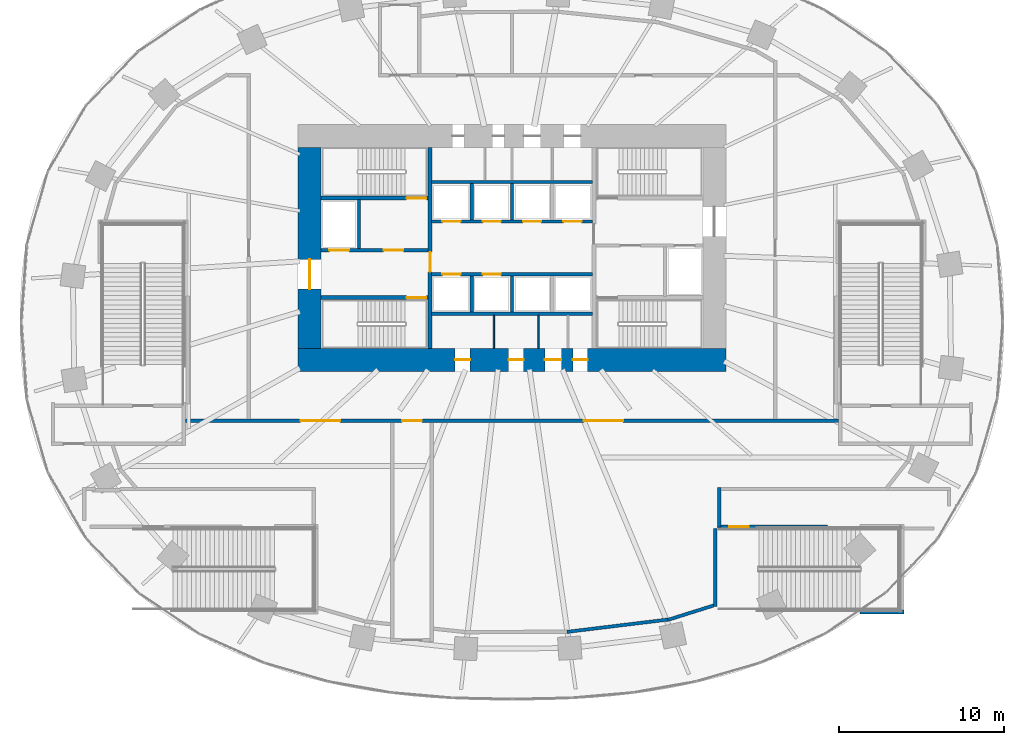
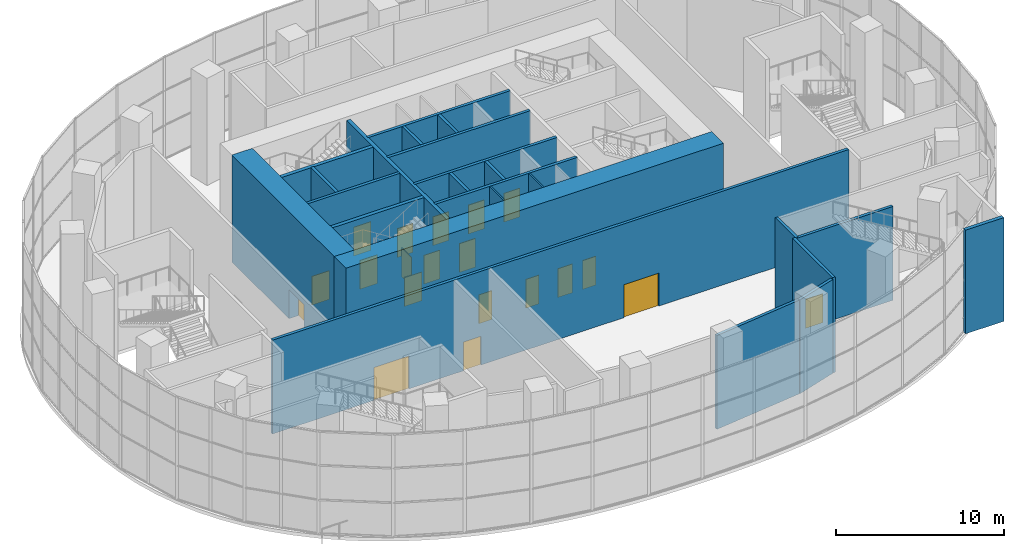
# One storey, part 14 of 22: 24 walls, 20 doors, 20 openings.
"""IFC4 building model written with IfcOpenShell, lengths in metres."""

from ifc_helpers import new_model, si_unit, direction, frame, frame_2d, origin, place, context, subcontext, project, spatial, rectangle, extrude, material, layer, layer_set, type_object, element, fill, save


model = new_model("IFC4")

# Units and contexts
model_context = context("Model", 3, precision=1e-05, world=origin(), true_north=direction((0.0, 1.0)))
body_context = subcontext(model_context, "Body", "Model", "MODEL_VIEW")
ifc_project = project(units=[si_unit("LENGTHUNIT", "METRE"), si_unit("AREAUNIT", "SQUARE_METRE"), si_unit("VOLUMEUNIT", "CUBIC_METRE"), si_unit("PLANEANGLEUNIT", "RADIAN"), si_unit("MASSUNIT", "GRAM", prefix="KILO")], contexts=[model_context])

# Site, building, storey
site_placement = place(None, origin())
site = spatial("IfcSite", under=ifc_project, at=site_placement, CompositionType="ELEMENT")
building_placement = place(site_placement, origin())
building = spatial("IfcBuilding", under=site, at=building_placement, Name="Rubra Terraces Tower", CompositionType="ELEMENT")
storey_placement = place(building_placement, frame((0.0, 0.0, 7.199951171875)))
storey = spatial("IfcBuildingStorey", under=building, at=storey_placement, Name="L01", CompositionType="ELEMENT", Elevation=7.199951171875)

# Wall, openings, doors
ifc_material_1 = material(Name="Concrete C70", Category="concrete")
ifc_layer_1 = layer(ifc_material_1, 1.39990234375)
ifc_layer_set_1 = layer_set([ifc_layer_1], Name="Concrete C70")
wall_type_1 = type_object("IfcWallType", Name="CORE WALL 1400 C70", PredefinedType="SHEAR", material=ifc_layer_set_1)
wall_1_placement = place(storey_placement, frame((-13.0, -2.300048828125, 0.0), z_axis=(0.0, 0.0, 1.0), x_axis=(1.0, 0.0, 0.0)))
wall_1 = element("IfcWall", 1, at=wall_1_placement, inside=storey, type_object=wall_type_1, Name="CORE WALL S L01", PredefinedType="SHEAR", context=body_context, shape_type="SweptSolid", body=[
    extrude(rectangle(XDim=26.0, YDim=1.39990234375, at=frame_2d((13.0, 0.0))), origin(), (0.0, 0.0, 1.0), 7.800048828125),
])
opening_1_placement = place(wall_1_placement, frame((9.550048828125, 0.0, 0.0)))
opening_1 = element("IfcOpeningElement", 2, at=opening_1_placement, cuts=wall_1, Name="Opening L01.C19", PredefinedType="OPENING", context=body_context, shape_type="SweptSolid", body=[
    extrude(rectangle(XDim=0.89990234375, YDim=2.10009765625, at=frame_2d((0.449951171875, 1.050048828125))), frame((0.0, 0.7099609375, 0.0), z_axis=(0.0, -1.0, 0.0), x_axis=(1.0, 0.0, 0.0)), (0.0, 0.0, 1.0), 1.419921875),
])
opening_2_placement = place(wall_1_placement, frame((12.800048828125, 0.0, 0.0)))
opening_2 = element("IfcOpeningElement", 3, at=opening_2_placement, cuts=wall_1, Name="Opening L01.C20", PredefinedType="OPENING", context=body_context, shape_type="SweptSolid", body=[
    extrude(rectangle(XDim=0.89990234375, YDim=2.10009765625, at=frame_2d((0.449951171875, 1.050048828125))), frame((0.0, 0.7099609375, 0.0), z_axis=(0.0, -1.0, 0.0), x_axis=(1.0, 0.0, 0.0)), (0.0, 0.0, 1.0), 1.419921875),
])
opening_3_placement = place(wall_1_placement, frame((15.0, 0.0, 0.0)))
opening_3 = element("IfcOpeningElement", 4, at=opening_3_placement, cuts=wall_1, Name="Opening L01.C21", PredefinedType="OPENING", context=body_context, shape_type="SweptSolid", body=[
    extrude(rectangle(XDim=1.0, YDim=2.10009765625, at=frame_2d((0.5, 1.050048828125))), frame((0.0, 0.7099609375, 0.0), z_axis=(0.0, -1.0, 0.0), x_axis=(1.0, 0.0, 0.0)), (0.0, 0.0, 1.0), 1.419921875),
])
opening_4_placement = place(wall_1_placement, frame((16.699951171875, 0.0, 0.0)))
opening_4 = element("IfcOpeningElement", 5, at=opening_4_placement, cuts=wall_1, Name="Opening L01.C22", PredefinedType="OPENING", context=body_context, shape_type="SweptSolid", body=[
    extrude(rectangle(XDim=0.89990234375, YDim=2.10009765625, at=frame_2d((0.449951171875, 1.050048828125))), frame((0.0, 0.7099609375, 0.0), z_axis=(0.0, -1.0, 0.0), x_axis=(1.0, 0.0, 0.0)), (0.0, 0.0, 1.0), 1.419921875),
])
ifc_material_2 = material(Name="Painted steel", Category="steel")
door_type_1 = type_object("IfcDoorType", Name="Fire door 1000x2100 single", OperationType="NOTDEFINED", PredefinedType="DOOR", material=ifc_material_2)
door_1_placement = place(opening_3_placement, origin())
door_1 = element("IfcDoor", 6, at=door_1_placement, inside=storey, type_object=door_type_1, Name="Accessible WC door", OperationType="SINGLE_SWING_LEFT", OverallHeight=2.10009765625, OverallWidth=1.0, PredefinedType="DOOR", context=body_context, shape_type="SweptSolid", body=[
    extrude(rectangle(XDim=1.0, YDim=2.10009765625, at=frame_2d((0.5, 1.050048828125))), frame((0.0, 0.02490234375, 0.0), z_axis=(0.0, -1.0, 0.0), x_axis=(1.0, 0.0, 0.0)), (0.0, 0.0, 1.0), 0.050048828125),
])
fill(opening_3, door_1)
door_type_2 = type_object("IfcDoorType", Name="Fire door 900x2100 single", OperationType="NOTDEFINED", PredefinedType="DOOR", material=ifc_material_2)
door_2_placement = place(opening_1_placement, origin())
door_2 = element("IfcDoor", 7, at=door_2_placement, inside=storey, type_object=door_type_2, Name="Ladies WC door", OperationType="SINGLE_SWING_LEFT", OverallHeight=2.10009765625, OverallWidth=0.89990234375, PredefinedType="DOOR", context=body_context, shape_type="SweptSolid", body=[
    extrude(rectangle(XDim=0.89990234375, YDim=2.10009765625, at=frame_2d((0.449951171875, 1.050048828125))), frame((0.0, 0.02490234375, 0.0), z_axis=(0.0, -1.0, 0.0), x_axis=(1.0, 0.0, 0.0)), (0.0, 0.0, 1.0), 0.050048828125),
])
fill(opening_1, door_2)
door_3_placement = place(opening_2_placement, origin())
door_3 = element("IfcDoor", 8, at=door_3_placement, inside=storey, type_object=door_type_2, Name="Gents WC door", OperationType="SINGLE_SWING_RIGHT", OverallHeight=2.10009765625, OverallWidth=0.89990234375, PredefinedType="DOOR", context=body_context, shape_type="SweptSolid", body=[
    extrude(rectangle(XDim=0.89990234375, YDim=2.10009765625, at=frame_2d((0.449951171875, 1.050048828125))), frame((0.0, 0.02490234375, 0.0), z_axis=(0.0, -1.0, 0.0), x_axis=(1.0, 0.0, 0.0)), (0.0, 0.0, 1.0), 0.050048828125),
])
fill(opening_2, door_3)
door_4_placement = place(opening_4_placement, origin())
door_4 = element("IfcDoor", 9, at=door_4_placement, inside=storey, type_object=door_type_2, Name="Cleaner's store door", OperationType="SINGLE_SWING_RIGHT", OverallHeight=2.10009765625, OverallWidth=0.89990234375, PredefinedType="DOOR", context=body_context, shape_type="SweptSolid", body=[
    extrude(rectangle(XDim=0.89990234375, YDim=2.10009765625, at=frame_2d((0.449951171875, 1.050048828125))), frame((0.0, 0.02490234375, 0.0), z_axis=(0.0, -1.0, 0.0), x_axis=(1.0, 0.0, 0.0)), (0.0, 0.0, 1.0), 0.050048828125),
])
fill(opening_4, door_4)

# Wall, opening, door
wall_2_placement = place(storey_placement, frame((-12.300048828125, -1.60009765625, 0.0), z_axis=(0.0, 0.0, 1.0), x_axis=(0.0, 1.0, 0.0)))
wall_2 = element("IfcWall", 10, at=wall_2_placement, inside=storey, type_object=wall_type_1, Name="CORE WALL W L01", PredefinedType="SHEAR", context=body_context, shape_type="SweptSolid", body=[
    extrude(rectangle(XDim=12.2001953125, YDim=1.39990234375, at=frame_2d((6.10009765625, 0.0))), origin(), (0.0, 0.0, 1.0), 7.800048828125),
])
opening_5_placement = place(wall_2_placement, frame((3.60009765625, 0.0, 0.0)))
opening_5 = element("IfcOpeningElement", 11, at=opening_5_placement, cuts=wall_2, Name="Opening L01.C01", PredefinedType="OPENING", context=body_context, shape_type="SweptSolid", body=[
    extrude(rectangle(XDim=1.800048828125, YDim=2.10009765625, at=frame_2d((0.89990234375, 1.050048828125))), frame((0.0, 0.7099609375, 0.0), z_axis=(0.0, -1.0, 0.0), x_axis=(1.0, 0.0, 0.0)), (0.0, 0.0, 1.0), 1.419921875),
])
door_type_3 = type_object("IfcDoorType", Name="Fire door 1800x2100 double", OperationType="NOTDEFINED", PredefinedType="DOOR", material=ifc_material_2)
door_5_placement = place(opening_5_placement, origin())
door_5 = element("IfcDoor", 12, at=door_5_placement, inside=storey, type_object=door_type_3, Name="Core entrance door FF1", OperationType="DOUBLE_DOOR_SINGLE_SWING", OverallHeight=2.10009765625, OverallWidth=1.800048828125, PredefinedType="DOOR", context=body_context, shape_type="SweptSolid", body=[
    extrude(rectangle(XDim=1.800048828125, YDim=2.10009765625, at=frame_2d((0.89990234375, 1.050048828125))), frame((0.0, 0.02490234375, 0.0), z_axis=(0.0, -1.0, 0.0), x_axis=(1.0, 0.0, 0.0)), (0.0, 0.0, 1.0), 0.050048828125),
])
fill(opening_5, door_5)

# Wall, openings, doors
ifc_material_3 = material(Name="Concrete C30", Category="concrete")
ifc_layer_2 = layer(ifc_material_3, 0.199951171875)
ifc_layer_set_2 = layer_set([ifc_layer_2], Name="Concrete C30")
wall_type_2 = type_object("IfcWallType", Name="Core wall 200 concrete", PredefinedType="SOLIDWALL", material=ifc_layer_set_2)
wall_3_placement = place(storey_placement, frame((-11.60009765625, 4.35009765625, 0.0), z_axis=(0.0, 0.0, 1.0), x_axis=(1.0, 0.0, 0.0)))
wall_3 = element("IfcWall", 13, at=wall_3_placement, inside=storey, type_object=wall_type_2, Name="STAIR WALL L01", PredefinedType="SOLIDWALL", context=body_context, shape_type="SweptSolid", body=[
    extrude(rectangle(XDim=6.5, YDim=0.199951171875, at=frame_2d((3.25, 0.0))), origin(), (0.0, 0.0, 1.0), 7.550048828125),
])
opening_6_placement = place(wall_3_placement, frame((3.800048828125, 0.0, 0.0)))
opening_6 = element("IfcOpeningElement", 14, at=opening_6_placement, cuts=wall_3, Name="Opening L01.C05", PredefinedType="OPENING", context=body_context, shape_type="SweptSolid", body=[
    extrude(rectangle(XDim=1.199951171875, YDim=2.10009765625, at=frame_2d((0.60009765625, 1.050048828125))), frame((0.0, 0.10986328125, 0.0), z_axis=(0.0, -1.0, 0.0), x_axis=(1.0, 0.0, 0.0)), (0.0, 0.0, 1.0), 0.219970703125),
])
opening_7_placement = place(wall_3_placement, frame((0.5, 0.0, 0.0)))
opening_7 = element("IfcOpeningElement", 15, at=opening_7_placement, cuts=wall_3, Name="Opening L01.C11", PredefinedType="OPENING", context=body_context, shape_type="SweptSolid", body=[
    extrude(rectangle(XDim=1.199951171875, YDim=2.10009765625, at=frame_2d((0.60009765625, 1.050048828125))), frame((0.0, 0.10986328125, 0.0), z_axis=(0.0, -1.0, 0.0), x_axis=(1.0, 0.0, 0.0)), (0.0, 0.0, 1.0), 0.219970703125),
])
door_type_4 = type_object("IfcDoorType", Name="Fire door 1200x2100 single", OperationType="NOTDEFINED", PredefinedType="DOOR", material=ifc_material_2)
door_6_placement = place(opening_6_placement, origin())
door_6 = element("IfcDoor", 16, at=door_6_placement, inside=storey, type_object=door_type_4, Name="Stair vestibule door S2", OperationType="SINGLE_SWING_LEFT", OverallHeight=2.10009765625, OverallWidth=1.199951171875, PredefinedType="DOOR", context=body_context, shape_type="SweptSolid", body=[
    extrude(rectangle(XDim=1.199951171875, YDim=2.10009765625, at=frame_2d((0.60009765625, 1.050048828125))), frame((0.0, 0.02490234375, 0.0), z_axis=(0.0, -1.0, 0.0), x_axis=(1.0, 0.0, 0.0)), (0.0, 0.0, 1.0), 0.050048828125),
])
fill(opening_6, door_6)
ifc_material_4 = material(Name="Stainless steel", Category="steel")
door_type_5 = type_object("IfcDoorType", Name="Lift landing door 1200x2100", OperationType="NOTDEFINED", PredefinedType="DOOR", material=ifc_material_4)
door_7_placement = place(opening_7_placement, origin())
door_7 = element("IfcDoor", 17, at=door_7_placement, inside=storey, type_object=door_type_5, Name="Landing door FF1", OperationType="SLIDING_TO_RIGHT", OverallHeight=2.10009765625, OverallWidth=1.199951171875, PredefinedType="DOOR", context=body_context, shape_type="SweptSolid", body=[
    extrude(rectangle(XDim=1.199951171875, YDim=2.10009765625, at=frame_2d((0.60009765625, 1.050048828125))), frame((0.0, 0.02490234375, 0.0), z_axis=(0.0, -1.0, 0.0), x_axis=(1.0, 0.0, 0.0)), (0.0, 0.0, 1.0), 0.050048828125),
])
fill(opening_7, door_7)

# Walls
wall_4_placement = place(storey_placement, frame((-9.300048828125, 4.449951171875, 0.0), z_axis=(0.0, 0.0, 1.0), x_axis=(0.0, 1.0, 0.0)))
element("IfcWall", 18, at=wall_4_placement, inside=storey, type_object=wall_type_2, Name="STAIR WALL L01", PredefinedType="SOLIDWALL", context=body_context, shape_type="SweptSolid", body=[
    extrude(rectangle(XDim=3.0, YDim=0.199951171875, at=frame_2d((1.5, 0.0))), origin(), (0.0, 0.0, 1.0), 7.550048828125),
])
wall_5_placement = place(storey_placement, frame((-4.89990234375, 0.5, 0.0), z_axis=(0.0, 0.0, 1.0), x_axis=(1.0, 0.0, 0.0)))
element("IfcWall", 19, at=wall_5_placement, inside=storey, type_object=wall_type_2, Name="LIFT SHAFT WALL L01", PredefinedType="SOLIDWALL", context=body_context, shape_type="SweptSolid", body=[
    extrude(rectangle(XDim=9.7998046875, YDim=0.199951171875, at=frame_2d((4.89990234375, 0.0))), origin(), (0.0, 0.0, 1.0), 7.550048828125),
])

# Wall, openings, doors
wall_6_placement = place(storey_placement, frame((-4.89990234375, 2.89990234375, 0.0), z_axis=(0.0, 0.0, 1.0), x_axis=(1.0, 0.0, 0.0)))
wall_6 = element("IfcWall", 20, at=wall_6_placement, inside=storey, type_object=wall_type_2, Name="LIFT SHAFT WALL L01", PredefinedType="SOLIDWALL", context=body_context, shape_type="SweptSolid", body=[
    extrude(rectangle(XDim=9.7998046875, YDim=0.199951171875, at=frame_2d((4.89990234375, 0.0))), origin(), (0.0, 0.0, 1.0), 7.550048828125),
])
opening_8_placement = place(wall_6_placement, frame((0.675048828125, 0.0, 0.0)))
opening_8 = element("IfcOpeningElement", 21, at=opening_8_placement, cuts=wall_6, Name="Opening L01.C13", PredefinedType="OPENING", context=body_context, shape_type="SweptSolid", body=[
    extrude(rectangle(XDim=1.10009765625, YDim=2.10009765625, at=frame_2d((0.550048828125, 1.050048828125))), frame((0.0, 0.10986328125, 0.0), z_axis=(0.0, -1.0, 0.0), x_axis=(1.0, 0.0, 0.0)), (0.0, 0.0, 1.0), 0.219970703125),
])
opening_9_placement = place(wall_6_placement, frame((3.125, 0.0, 0.0)))
opening_9 = element("IfcOpeningElement", 22, at=opening_9_placement, cuts=wall_6, Name="Opening L01.C14", PredefinedType="OPENING", context=body_context, shape_type="SweptSolid", body=[
    extrude(rectangle(XDim=1.10009765625, YDim=2.10009765625, at=frame_2d((0.550048828125, 1.050048828125))), frame((0.0, 0.10986328125, 0.0), z_axis=(0.0, -1.0, 0.0), x_axis=(1.0, 0.0, 0.0)), (0.0, 0.0, 1.0), 0.219970703125),
])
door_type_6 = type_object("IfcDoorType", Name="Lift landing door 1100x2100", OperationType="NOTDEFINED", PredefinedType="DOOR", material=ifc_material_4)
door_8_placement = place(opening_8_placement, origin())
door_8 = element("IfcDoor", 23, at=door_8_placement, inside=storey, type_object=door_type_6, Name="Landing door LB1", OperationType="SLIDING_TO_RIGHT", OverallHeight=2.10009765625, OverallWidth=1.10009765625, PredefinedType="DOOR", context=body_context, shape_type="SweptSolid", body=[
    extrude(rectangle(XDim=1.10009765625, YDim=2.10009765625, at=frame_2d((0.550048828125, 1.050048828125))), frame((0.0, 0.02490234375, 0.0), z_axis=(0.0, -1.0, 0.0), x_axis=(1.0, 0.0, 0.0)), (0.0, 0.0, 1.0), 0.050048828125),
])
fill(opening_8, door_8)
door_9_placement = place(opening_9_placement, origin())
door_9 = element("IfcDoor", 24, at=door_9_placement, inside=storey, type_object=door_type_6, Name="Landing door LB2", OperationType="SLIDING_TO_LEFT", OverallHeight=2.10009765625, OverallWidth=1.10009765625, PredefinedType="DOOR", context=body_context, shape_type="SweptSolid", body=[
    extrude(rectangle(XDim=1.10009765625, YDim=2.10009765625, at=frame_2d((0.550048828125, 1.050048828125))), frame((0.0, 0.02490234375, 0.0), z_axis=(0.0, -1.0, 0.0), x_axis=(1.0, 0.0, 0.0)), (0.0, 0.0, 1.0), 0.050048828125),
])
fill(opening_9, door_9)

wall_7_placement = place(storey_placement, frame((-4.89990234375, 6.10009765625, 0.0), z_axis=(0.0, 0.0, 1.0), x_axis=(1.0, 0.0, 0.0)))
wall_7 = element("IfcWall", 25, at=wall_7_placement, inside=storey, type_object=wall_type_2, Name="LIFT SHAFT WALL L01", PredefinedType="SOLIDWALL", context=body_context, shape_type="SweptSolid", body=[
    extrude(rectangle(XDim=9.7998046875, YDim=0.199951171875, at=frame_2d((4.89990234375, 0.0))), origin(), (0.0, 0.0, 1.0), 7.550048828125),
])
opening_10_placement = place(wall_7_placement, frame((0.675048828125, 0.0, 0.0)))
opening_10 = element("IfcOpeningElement", 26, at=opening_10_placement, cuts=wall_7, Name="Opening L01.C15", PredefinedType="OPENING", context=body_context, shape_type="SweptSolid", body=[
    extrude(rectangle(XDim=1.10009765625, YDim=2.10009765625, at=frame_2d((0.550048828125, 1.050048828125))), frame((0.0, 0.10986328125, 0.0), z_axis=(0.0, -1.0, 0.0), x_axis=(1.0, 0.0, 0.0)), (0.0, 0.0, 1.0), 0.219970703125),
])
opening_11_placement = place(wall_7_placement, frame((3.125, 0.0, 0.0)))
opening_11 = element("IfcOpeningElement", 27, at=opening_11_placement, cuts=wall_7, Name="Opening L01.C16", PredefinedType="OPENING", context=body_context, shape_type="SweptSolid", body=[
    extrude(rectangle(XDim=1.10009765625, YDim=2.10009765625, at=frame_2d((0.550048828125, 1.050048828125))), frame((0.0, 0.10986328125, 0.0), z_axis=(0.0, -1.0, 0.0), x_axis=(1.0, 0.0, 0.0)), (0.0, 0.0, 1.0), 0.219970703125),
])
opening_12_placement = place(wall_7_placement, frame((5.574951171875, 0.0, 0.0)))
opening_12 = element("IfcOpeningElement", 28, at=opening_12_placement, cuts=wall_7, Name="Opening L01.C17", PredefinedType="OPENING", context=body_context, shape_type="SweptSolid", body=[
    extrude(rectangle(XDim=1.10009765625, YDim=2.10009765625, at=frame_2d((0.550048828125, 1.050048828125))), frame((0.0, 0.10986328125, 0.0), z_axis=(0.0, -1.0, 0.0), x_axis=(1.0, 0.0, 0.0)), (0.0, 0.0, 1.0), 0.219970703125),
])
opening_13_placement = place(wall_7_placement, frame((8.02490234375, 0.0, 0.0)))
opening_13 = element("IfcOpeningElement", 29, at=opening_13_placement, cuts=wall_7, Name="Opening L01.C18", PredefinedType="OPENING", context=body_context, shape_type="SweptSolid", body=[
    extrude(rectangle(XDim=1.10009765625, YDim=2.10009765625, at=frame_2d((0.550048828125, 1.050048828125))), frame((0.0, 0.10986328125, 0.0), z_axis=(0.0, -1.0, 0.0), x_axis=(1.0, 0.0, 0.0)), (0.0, 0.0, 1.0), 0.219970703125),
])
door_10_placement = place(opening_10_placement, origin())
door_10 = element("IfcDoor", 30, at=door_10_placement, inside=storey, type_object=door_type_6, Name="Landing door LB3", OperationType="SLIDING_TO_RIGHT", OverallHeight=2.10009765625, OverallWidth=1.10009765625, PredefinedType="DOOR", context=body_context, shape_type="SweptSolid", body=[
    extrude(rectangle(XDim=1.10009765625, YDim=2.10009765625, at=frame_2d((0.550048828125, 1.050048828125))), frame((0.0, 0.02490234375, 0.0), z_axis=(0.0, -1.0, 0.0), x_axis=(1.0, 0.0, 0.0)), (0.0, 0.0, 1.0), 0.050048828125),
])
fill(opening_10, door_10)
door_11_placement = place(opening_11_placement, origin())
door_11 = element("IfcDoor", 31, at=door_11_placement, inside=storey, type_object=door_type_6, Name="Landing door LB4", OperationType="SLIDING_TO_LEFT", OverallHeight=2.10009765625, OverallWidth=1.10009765625, PredefinedType="DOOR", context=body_context, shape_type="SweptSolid", body=[
    extrude(rectangle(XDim=1.10009765625, YDim=2.10009765625, at=frame_2d((0.550048828125, 1.050048828125))), frame((0.0, 0.02490234375, 0.0), z_axis=(0.0, -1.0, 0.0), x_axis=(1.0, 0.0, 0.0)), (0.0, 0.0, 1.0), 0.050048828125),
])
fill(opening_11, door_11)
door_12_placement = place(opening_12_placement, origin())
door_12 = element("IfcDoor", 32, at=door_12_placement, inside=storey, type_object=door_type_6, Name="Landing door LB5", OperationType="SLIDING_TO_RIGHT", OverallHeight=2.10009765625, OverallWidth=1.10009765625, PredefinedType="DOOR", context=body_context, shape_type="SweptSolid", body=[
    extrude(rectangle(XDim=1.10009765625, YDim=2.10009765625, at=frame_2d((0.550048828125, 1.050048828125))), frame((0.0, 0.02490234375, 0.0), z_axis=(0.0, -1.0, 0.0), x_axis=(1.0, 0.0, 0.0)), (0.0, 0.0, 1.0), 0.050048828125),
])
fill(opening_12, door_12)
door_13_placement = place(opening_13_placement, origin())
door_13 = element("IfcDoor", 33, at=door_13_placement, inside=storey, type_object=door_type_6, Name="Landing door LB6", OperationType="SLIDING_TO_LEFT", OverallHeight=2.10009765625, OverallWidth=1.10009765625, PredefinedType="DOOR", context=body_context, shape_type="SweptSolid", body=[
    extrude(rectangle(XDim=1.10009765625, YDim=2.10009765625, at=frame_2d((0.550048828125, 1.050048828125))), frame((0.0, 0.02490234375, 0.0), z_axis=(0.0, -1.0, 0.0), x_axis=(1.0, 0.0, 0.0)), (0.0, 0.0, 1.0), 0.050048828125),
])
fill(opening_13, door_13)

# Walls
wall_8_placement = place(storey_placement, frame((-4.89990234375, 8.5, 0.0), z_axis=(0.0, 0.0, 1.0), x_axis=(1.0, 0.0, 0.0)))
element("IfcWall", 34, at=wall_8_placement, inside=storey, type_object=wall_type_2, Name="LIFT SHAFT WALL L01", PredefinedType="SOLIDWALL", context=body_context, shape_type="SweptSolid", body=[
    extrude(rectangle(XDim=9.7998046875, YDim=0.199951171875, at=frame_2d((4.89990234375, 0.0))), origin(), (0.0, 0.0, 1.0), 7.550048828125),
])
for number, where, z_axis, x_axis, name in (
    (35, (-2.449951171875, 0.60009765625, 0.0), (0.0, 0.0, 1.0), (0.0, 1.0, 0.0), "LIFT SHAFT WALL L01"),
    (36, (0.0, 0.60009765625, 0.0), (0.0, 0.0, 1.0), (0.0, 1.0, 0.0), "LIFT SHAFT WALL L01"),
    (37, (-2.449951171875, 6.199951171875, 0.0), (0.0, 0.0, 1.0), (0.0, 1.0, 0.0), "LIFT SHAFT WALL L01"),
    (38, (0.0, 6.199951171875, 0.0), (0.0, 0.0, 1.0), (0.0, 1.0, 0.0), "LIFT SHAFT WALL L01"),
):
    element("IfcWall", number, at=place(storey_placement, frame(where, z_axis=z_axis, x_axis=x_axis)), inside=storey, type_object=wall_type_2, Name=name, PredefinedType="SOLIDWALL", context=body_context, shape_type="SweptSolid", body=[
        extrude(rectangle(XDim=2.199951171875, YDim=0.199951171875, at=frame_2d((1.10009765625, 0.0))), origin(), (0.0, 0.0, 1.0), 7.550048828125),
    ])

# Wall, opening, door
ifc_material_5 = material(Name="Blockwork", Category="masonry")
ifc_layer_3 = layer(ifc_material_5, 0.199951171875)
ifc_layer_set_3 = layer_set([ifc_layer_3], Name="Blockwork")
wall_type_3 = type_object("IfcWallType", Name="Corridor partition 200 blockwork", PredefinedType="PARTITIONING", material=ifc_layer_set_3)
wall_9_placement = place(storey_placement, frame((19.179931640625, -12.449951171875, 0.0), z_axis=(0.0, 0.0, 1.0), x_axis=(-1.0, 0.0, 0.0)))
wall_9 = element("IfcWall", 39, at=wall_9_placement, inside=storey, type_object=wall_type_3, Name="Partition wall", PredefinedType="PARTITIONING", context=body_context, shape_type="SweptSolid", body=[
    extrude(rectangle(XDim=6.679931640625, YDim=0.199951171875, at=frame_2d((3.33984375, 0.0))), origin(), (0.0, 0.0, 1.0), 6.830078125),
])
opening_14_placement = place(wall_9_placement, frame((4.780029296875, 0.0, 0.0)))
opening_14 = element("IfcOpeningElement", 40, at=opening_14_placement, cuts=wall_9, Name="Opening DB7", PredefinedType="OPENING", context=body_context, shape_type="SweptSolid", body=[
    extrude(rectangle(XDim=1.199951171875, YDim=2.10009765625, at=frame_2d((0.60009765625, 1.050048828125))), frame((0.0, 0.10986328125, 0.0), z_axis=(0.0, -1.0, 0.0), x_axis=(1.0, 0.0, 0.0)), (0.0, 0.0, 1.0), 0.219970703125),
])
ifc_material_6 = material(Name="Painted timber", Category="wood")
door_type_7 = type_object("IfcDoorType", Name="Door 1200x2100 single", OperationType="NOTDEFINED", PredefinedType="DOOR", material=ifc_material_6)
door_14_placement = place(opening_14_placement, origin())
door_14 = element("IfcDoor", 41, at=door_14_placement, inside=storey, type_object=door_type_7, Name="Stair door L01-10", OperationType="SINGLE_SWING_LEFT", OverallHeight=2.10009765625, OverallWidth=1.199951171875, PredefinedType="DOOR", context=body_context, shape_type="SweptSolid", body=[
    extrude(rectangle(XDim=1.199951171875, YDim=2.10009765625, at=frame_2d((0.60009765625, 1.050048828125))), frame((0.0, 0.02490234375, 0.0), z_axis=(0.0, -1.0, 0.0), x_axis=(1.0, 0.0, 0.0)), (0.0, 0.0, 1.0), 0.050048828125),
])
fill(opening_14, door_14)

# Wall
wall_10_placement = place(storey_placement, frame((12.60009765625, -12.449951171875, 0.0), z_axis=(0.0, 0.0, 1.0), x_axis=(0.0, 1.0, 0.0)))
element("IfcWall", 42, at=wall_10_placement, inside=storey, type_object=wall_type_3, Name="Partition wall", PredefinedType="PARTITIONING", context=body_context, shape_type="SweptSolid", body=[
    extrude(rectangle(XDim=2.39990234375, YDim=0.199951171875, at=frame_2d((1.199951171875, 0.0))), origin(), (0.0, 0.0, 1.0), 6.830078125),
])

# Wall, openings, doors
wall_11_placement = place(storey_placement, frame((-19.85009765625, -6.0, 0.0), z_axis=(0.0, 0.0, 1.0), x_axis=(1.0, 0.0, 0.0)))
wall_11 = element("IfcWall", 43, at=wall_11_placement, inside=storey, type_object=wall_type_3, Name="Partition wall", PredefinedType="PARTITIONING", context=body_context, shape_type="SweptSolid", body=[
    extrude(rectangle(XDim=39.7001953125, YDim=0.199951171875, at=frame_2d((19.85009765625, 0.0))), origin(), (0.0, 0.0, 1.0), 6.830078125),
])
opening_15_placement = place(wall_11_placement, frame((13.172119140625, 0.0, 0.0)))
opening_15 = element("IfcOpeningElement", 44, at=opening_15_placement, cuts=wall_11, Name="Opening DB7", PredefinedType="OPENING", context=body_context, shape_type="SweptSolid", body=[
    extrude(rectangle(XDim=1.199951171875, YDim=2.10009765625, at=frame_2d((0.60009765625, 1.050048828125))), frame((0.0, 0.10986328125, 0.0), z_axis=(0.0, -1.0, 0.0), x_axis=(1.0, 0.0, 0.0)), (0.0, 0.0, 1.0), 0.219970703125),
])
opening_16_placement = place(wall_11_placement, frame((24.2109375, 0.0, 0.0)))
opening_16 = element("IfcOpeningElement", 45, at=opening_16_placement, cuts=wall_11, Name="Opening DB4", PredefinedType="OPENING", context=body_context, shape_type="SweptSolid", body=[
    extrude(rectangle(XDim=2.39990234375, YDim=2.39990234375, at=frame_2d((1.199951171875, 1.199951171875))), frame((0.0, 0.10986328125, 0.0), z_axis=(0.0, -1.0, 0.0), x_axis=(1.0, 0.0, 0.0)), (0.0, 0.0, 1.0), 0.219970703125),
])
opening_17_placement = place(wall_11_placement, frame((7.010986328125, 0.0, 0.0)))
opening_17 = element("IfcOpeningElement", 46, at=opening_17_placement, cuts=wall_11, Name="Opening DB4", PredefinedType="OPENING", context=body_context, shape_type="SweptSolid", body=[
    extrude(rectangle(XDim=2.39990234375, YDim=2.39990234375, at=frame_2d((1.199951171875, 1.199951171875))), frame((0.0, 0.10986328125, 0.0), z_axis=(0.0, -1.0, 0.0), x_axis=(1.0, 0.0, 0.0)), (0.0, 0.0, 1.0), 0.219970703125),
])
door_15_placement = place(opening_15_placement, origin())
door_15 = element("IfcDoor", 47, at=door_15_placement, inside=storey, type_object=door_type_7, Name="Door L01-03", OperationType="SINGLE_SWING_LEFT", OverallHeight=2.10009765625, OverallWidth=1.199951171875, PredefinedType="DOOR", context=body_context, shape_type="SweptSolid", body=[
    extrude(rectangle(XDim=1.199951171875, YDim=2.10009765625, at=frame_2d((0.60009765625, 1.050048828125))), frame((0.0, 0.02490234375, 0.0), z_axis=(0.0, -1.0, 0.0), x_axis=(1.0, 0.0, 0.0)), (0.0, 0.0, 1.0), 0.050048828125),
])
fill(opening_15, door_15)
ifc_material_7 = material(Name="Timber", Category="wood")
door_type_8 = type_object("IfcDoorType", Name="Door 2400x2400 double", OperationType="NOTDEFINED", PredefinedType="DOOR", material=ifc_material_7)
door_16_placement = place(opening_16_placement, origin())
door_16 = element("IfcDoor", 48, at=door_16_placement, inside=storey, type_object=door_type_8, Name="Door L01-15", OperationType="DOUBLE_DOOR_SINGLE_SWING", OverallHeight=2.39990234375, OverallWidth=2.39990234375, PredefinedType="DOOR", context=body_context, shape_type="SweptSolid", body=[
    extrude(rectangle(XDim=2.39990234375, YDim=2.39990234375, at=frame_2d((1.199951171875, 1.199951171875))), frame((0.0, 0.02490234375, 0.0), z_axis=(0.0, -1.0, 0.0), x_axis=(1.0, 0.0, 0.0)), (0.0, 0.0, 1.0), 0.050048828125),
])
fill(opening_16, door_16)
door_17_placement = place(opening_17_placement, origin())
door_17 = element("IfcDoor", 49, at=door_17_placement, inside=storey, type_object=door_type_8, Name="Door L01-16", OperationType="DOUBLE_DOOR_SINGLE_SWING", OverallHeight=2.39990234375, OverallWidth=2.39990234375, PredefinedType="DOOR", context=body_context, shape_type="SweptSolid", body=[
    extrude(rectangle(XDim=2.39990234375, YDim=2.39990234375, at=frame_2d((1.199951171875, 1.199951171875))), frame((0.0, 0.02490234375, 0.0), z_axis=(0.0, -1.0, 0.0), x_axis=(1.0, 0.0, 0.0)), (0.0, 0.0, 1.0), 0.050048828125),
])
fill(opening_17, door_17)

# Walls
wall_12_placement = place(storey_placement, frame((12.2548828125, -17.23095703125, 0.0), z_axis=(0.0, 0.0, 1.0), x_axis=(-0.953832821469, -0.300338057344, 0.0)))
element("IfcWall", 50, at=wall_12_placement, inside=storey, type_object=wall_type_3, Name="Partition wall", PredefinedType="PARTITIONING", context=body_context, shape_type="SweptSolid", body=[
    extrude(rectangle(XDim=2.916748046875, YDim=0.199951171875, at=frame_2d((1.45849609375, 0.0))), origin(), (0.0, 0.0, 1.0), 6.830078125),
])
wall_13_placement = place(storey_placement, frame((9.468994140625, -18.089111328125, 0.0), z_axis=(0.0, 0.0, 1.0), x_axis=(-0.992641352158, -0.121091477758, 0.0)))
element("IfcWall", 51, at=wall_13_placement, inside=storey, type_object=wall_type_3, Name="Partition wall", PredefinedType="PARTITIONING", context=body_context, shape_type="SweptSolid", body=[
    extrude(rectangle(XDim=6.16748046875, YDim=0.199951171875, at=frame_2d((3.083740234375, 0.0))), origin(), (0.0, 0.0, 1.0), 6.830078125),
])
ifc_layer_4 = layer(ifc_material_5, 0.199951171875)
ifc_layer_set_4 = layer_set([ifc_layer_4], Name="Blockwork")
wall_type_4 = type_object("IfcWallType", Name="Room partition 200 blockwork", PredefinedType="PARTITIONING", material=ifc_layer_set_4)
wall_14_placement = place(storey_placement, frame((12.35009765625, -12.550048828125, 0.0), z_axis=(0.0, 0.0, 1.0), x_axis=(0.0, -1.0, 0.0)))
element("IfcWall", 52, at=wall_14_placement, inside=storey, type_object=wall_type_4, Name="Partition wall", PredefinedType="PARTITIONING", context=body_context, shape_type="SweptSolid", body=[
    extrude(rectangle(XDim=4.7509765625, YDim=0.199951171875, at=frame_2d((2.37548828125, 0.0))), origin(), (0.0, 0.0, 1.0), 6.93408203125),
])
ifc_layer_5 = layer(ifc_material_5, 0.10009765625)
ifc_layer_set_5 = layer_set([ifc_layer_5], Name="Blockwork")
wall_type_5 = type_object("IfcWallType", Name="Service partition 100 blockwork", PredefinedType="PARTITIONING", material=ifc_layer_set_5)
for number, where, z_axis, x_axis, name in (
    (53, (-1.10009765625, -1.60009765625, 0.0), (0.0, 0.0, 1.0), (0.0, 1.0, 0.0), "SERVICE ROOM PARTITION L01"),
    (54, (1.60009765625, -1.60009765625, 0.0), (0.0, 0.0, 1.0), (0.0, 1.0, 0.0), "SERVICE ROOM PARTITION L01"),
):
    element("IfcWall", number, at=place(storey_placement, frame(where, z_axis=z_axis, x_axis=x_axis)), inside=storey, type_object=wall_type_5, Name=name, PredefinedType="PARTITIONING", context=body_context, shape_type="SweptSolid", body=[
        extrude(rectangle(XDim=2.0, YDim=0.10009765625, at=frame_2d((1.0, 0.0))), origin(), (0.0, 0.0, 1.0), 7.550048828125),
    ])

# Wall, opening, door
ifc_material_8 = material(Name="Concrete C40", Category="concrete")
ifc_layer_6 = layer(ifc_material_8, 0.25)
ifc_layer_set_6 = layer_set([ifc_layer_6], Name="Concrete C40")
wall_type_6 = type_object("IfcWallType", Name="Stair enclosure wall 250 concrete", PredefinedType="SOLIDWALL", material=ifc_layer_set_6)
wall_15_placement = place(storey_placement, frame((-11.60009765625, 1.47509765625, 0.0), z_axis=(0.0, 0.0, 1.0), x_axis=(1.0, 0.0, 0.0)))
wall_15 = element("IfcWall", 55, at=wall_15_placement, inside=storey, type_object=wall_type_6, Name="STAIR WALL L01", PredefinedType="SOLIDWALL", context=body_context, shape_type="SweptSolid", body=[
    extrude(rectangle(XDim=6.5, YDim=0.25, at=frame_2d((3.25, 0.0))), origin(), (0.0, 0.0, 1.0), 7.550048828125),
])
opening_18_placement = place(wall_15_placement, frame((5.199951171875, 0.0, 0.0)))
opening_18 = element("IfcOpeningElement", 56, at=opening_18_placement, cuts=wall_15, Name="Opening L01.C07", PredefinedType="OPENING", context=body_context, shape_type="SweptSolid", body=[
    extrude(rectangle(XDim=1.199951171875, YDim=2.10009765625, at=frame_2d((0.60009765625, 1.050048828125))), frame((0.0, 0.135009765625, 0.0), z_axis=(0.0, -1.0, 0.0), x_axis=(1.0, 0.0, 0.0)), (0.0, 0.0, 1.0), 0.27001953125),
])
door_18_placement = place(opening_18_placement, origin())
door_18 = element("IfcDoor", 57, at=door_18_placement, inside=storey, type_object=door_type_4, Name="Stair door S1", OperationType="SINGLE_SWING_LEFT", OverallHeight=2.10009765625, OverallWidth=1.199951171875, PredefinedType="DOOR", context=body_context, shape_type="SweptSolid", body=[
    extrude(rectangle(XDim=1.199951171875, YDim=2.10009765625, at=frame_2d((0.60009765625, 1.050048828125))), frame((0.0, 0.02490234375, 0.0), z_axis=(0.0, -1.0, 0.0), x_axis=(1.0, 0.0, 0.0)), (0.0, 0.0, 1.0), 0.050048828125),
])
fill(opening_18, door_18)

wall_16_placement = place(storey_placement, frame((-11.60009765625, 7.52490234375, 0.0), z_axis=(0.0, 0.0, 1.0), x_axis=(1.0, 0.0, 0.0)))
wall_16 = element("IfcWall", 58, at=wall_16_placement, inside=storey, type_object=wall_type_6, Name="STAIR WALL L01", PredefinedType="SOLIDWALL", context=body_context, shape_type="SweptSolid", body=[
    extrude(rectangle(XDim=6.5, YDim=0.25, at=frame_2d((3.25, 0.0))), origin(), (0.0, 0.0, 1.0), 7.550048828125),
])
opening_19_placement = place(wall_16_placement, frame((5.199951171875, 0.0, 0.0)))
opening_19 = element("IfcOpeningElement", 59, at=opening_19_placement, cuts=wall_16, Name="Opening L01.C09", PredefinedType="OPENING", context=body_context, shape_type="SweptSolid", body=[
    extrude(rectangle(XDim=1.199951171875, YDim=2.10009765625, at=frame_2d((0.60009765625, 1.050048828125))), frame((0.0, 0.135009765625, 0.0), z_axis=(0.0, -1.0, 0.0), x_axis=(1.0, 0.0, 0.0)), (0.0, 0.0, 1.0), 0.27001953125),
])
door_19_placement = place(opening_19_placement, origin())
door_19 = element("IfcDoor", 60, at=door_19_placement, inside=storey, type_object=door_type_4, Name="Stair door S2", OperationType="SINGLE_SWING_LEFT", OverallHeight=2.10009765625, OverallWidth=1.199951171875, PredefinedType="DOOR", context=body_context, shape_type="SweptSolid", body=[
    extrude(rectangle(XDim=1.199951171875, YDim=2.10009765625, at=frame_2d((0.60009765625, 1.050048828125))), frame((0.0, 0.02490234375, 0.0), z_axis=(0.0, -1.0, 0.0), x_axis=(1.0, 0.0, 0.0)), (0.0, 0.0, 1.0), 0.050048828125),
])
fill(opening_19, door_19)

wall_17_placement = place(storey_placement, frame((-4.97509765625, -1.60009765625, 0.0), z_axis=(0.0, 0.0, 1.0), x_axis=(0.0, 1.0, 0.0)))
wall_17 = element("IfcWall", 61, at=wall_17_placement, inside=storey, type_object=wall_type_6, Name="CORE LOBBY WALL L01", PredefinedType="SOLIDWALL", context=body_context, shape_type="SweptSolid", body=[
    extrude(rectangle(XDim=12.2001953125, YDim=0.25, at=frame_2d((6.10009765625, 0.0))), origin(), (0.0, 0.0, 1.0), 7.550048828125),
])
opening_20_placement = place(wall_17_placement, frame((4.64990234375, 0.0, 0.0)))
opening_20 = element("IfcOpeningElement", 62, at=opening_20_placement, cuts=wall_17, Name="Opening L01.C03", PredefinedType="OPENING", context=body_context, shape_type="SweptSolid", body=[
    extrude(rectangle(XDim=1.199951171875, YDim=2.10009765625, at=frame_2d((0.60009765625, 1.050048828125))), frame((0.0, 0.135009765625, 0.0), z_axis=(0.0, -1.0, 0.0), x_axis=(1.0, 0.0, 0.0)), (0.0, 0.0, 1.0), 0.27001953125),
])
door_20_placement = place(opening_20_placement, origin())
door_20 = element("IfcDoor", 63, at=door_20_placement, inside=storey, type_object=door_type_4, Name="Firefighting lobby door FF1", OperationType="SINGLE_SWING_LEFT", OverallHeight=2.10009765625, OverallWidth=1.199951171875, PredefinedType="DOOR", context=body_context, shape_type="SweptSolid", body=[
    extrude(rectangle(XDim=1.199951171875, YDim=2.10009765625, at=frame_2d((0.60009765625, 1.050048828125))), frame((0.0, 0.02490234375, 0.0), z_axis=(0.0, -1.0, 0.0), x_axis=(1.0, 0.0, 0.0)), (0.0, 0.0, 1.0), 0.050048828125),
])
fill(opening_20, door_20)

# Wall
ifc_material_9 = material(Name="Concrete C40/50", Category="concrete")
ifc_layer_7 = layer(ifc_material_9, 0.25)
ifc_layer_set_7 = layer_set([ifc_layer_7], Name="Concrete C40/50")
wall_type_7 = type_object("IfcWallType", Name="Stair end wall 250 concrete", PredefinedType="SOLIDWALL", material=ifc_layer_set_7)
wall_18_placement = place(storey_placement, frame((21.159912109375, -17.625, 0.0), z_axis=(0.0, 0.0, 1.0), x_axis=(1.0, 0.0, 0.0)))
element("IfcWall", 64, at=wall_18_placement, inside=storey, type_object=wall_type_7, Name="Stair end wall", PredefinedType="SOLIDWALL", context=body_context, shape_type="SweptSolid", body=[
    extrude(rectangle(XDim=2.650146484375, YDim=0.25, at=frame_2d((1.3251953125, 0.0))), origin(), (0.0, 0.0, 1.0), 7.550048828125),
])

save(model, "model.ifc")
